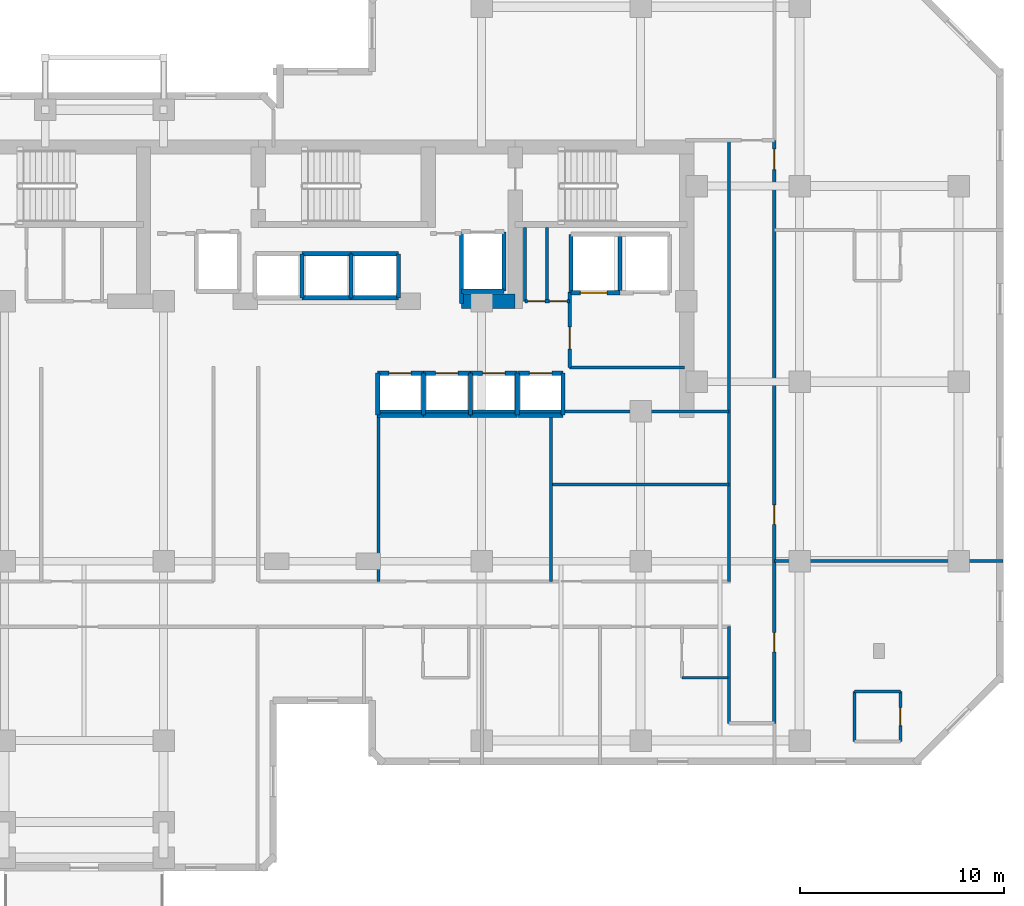
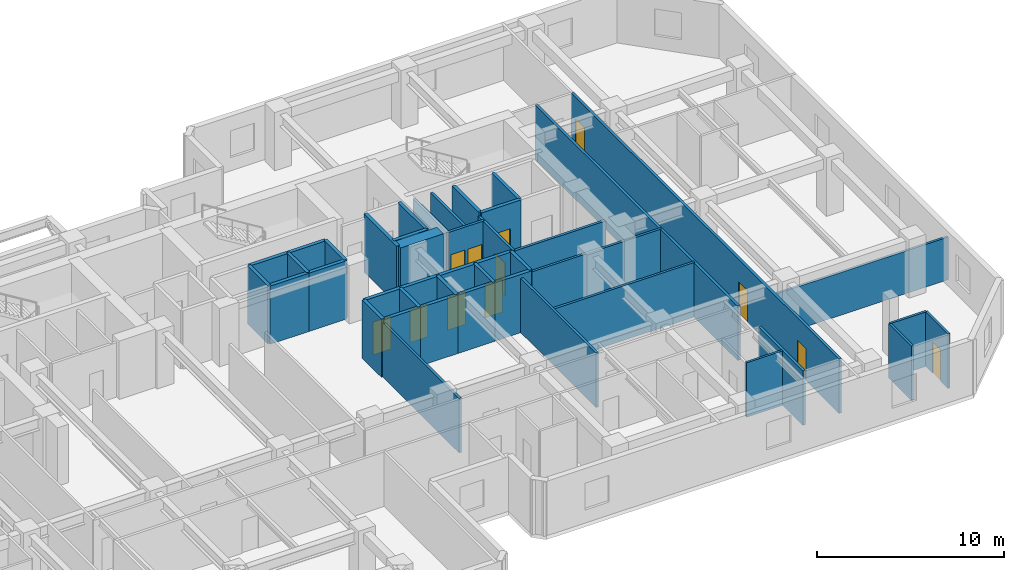
# One storey, part 6 of 10: 44 walls, 12 doors, 12 openings.
"""IFC4 building model written with IfcOpenShell, lengths in metres."""

from ifc_helpers import new_model, si_unit, direction, frame, frame_2d, origin, place, context, subcontext, project, spatial, rectangle, extrude, material, layer, layer_set, type_object, element, fill, save


model = new_model("IFC4")

# Units and contexts
model_context = context("Model", 3, precision=1e-05, world=origin(), true_north=direction((0.0, 1.0)))
body_context = subcontext(model_context, "Body", "Model", "MODEL_VIEW")
ifc_project = project(units=[si_unit("LENGTHUNIT", "METRE"), si_unit("AREAUNIT", "SQUARE_METRE"), si_unit("VOLUMEUNIT", "CUBIC_METRE"), si_unit("PLANEANGLEUNIT", "RADIAN"), si_unit("MASSUNIT", "GRAM", prefix="KILO")], contexts=[model_context])

# Site, building, storey
site_placement = place(None, origin())
site = spatial("IfcSite", under=ifc_project, at=site_placement, CompositionType="ELEMENT")
building_placement = place(site_placement, origin())
building = spatial("IfcBuilding", under=site, at=building_placement, Name="Kestravale Grand Hotel", CompositionType="ELEMENT")
storey_placement = place(building_placement, frame((0.0, 0.0, 138.39990234375)))
storey = spatial("IfcBuildingStorey", under=building, at=storey_placement, Name="L34", CompositionType="ELEMENT", Elevation=138.39990234375)

# Wall
ifc_material_1 = material(Name="Concrete f'c 60 MPa", Category="concrete")
ifc_layer_1 = layer(ifc_material_1, 0.699951171875)
ifc_layer_set_1 = layer_set([ifc_layer_1], Name="EW-CORE-700")
wall_type_1 = type_object("IfcWallType", Name="EW-CORE-700", PredefinedType="SHEAR", material=ifc_layer_set_1)
wall_1_placement = place(storey_placement, frame((45.81005859375, 32.75, 0.0), z_axis=(0.0, 0.0, 1.0), x_axis=(1.0, 0.0, 0.0)))
element("IfcWall", 1, at=wall_1_placement, inside=storey, type_object=wall_type_1, Name="L34 core shear wall S2", PredefinedType="SHEAR", context=body_context, shape_type="SweptSolid", body=[
    extrude(rectangle(XDim=2.639892578125, YDim=0.699951171875, at=frame_2d((1.31982421875, 0.0))), origin(), (0.0, 0.0, 1.0), 3.800048828125),
])

# Wall, opening, door
ifc_material_2 = material(Name="Acoustic fire-rated gypsum board partition", Category="other")
ifc_layer_2 = layer(ifc_material_2, 0.159912109375)
ifc_layer_set_2 = layer_set([ifc_layer_2], Name="IW-CORR-160")
wall_type_2 = type_object("IfcWallType", Name="IW-CORR-160", PredefinedType="PARTITIONING", material=ifc_layer_set_2)
wall_2_placement = place(storey_placement, frame((51.1201171875, 29.5, 0.0), z_axis=(0.0, 0.0, 1.0), x_axis=(0.0, 1.0, 0.0)))
wall_2 = element("IfcWall", 2, at=wall_2_placement, inside=storey, type_object=wall_type_2, Name="W-L34-SVCLOB-W", PredefinedType="PARTITIONING", context=body_context, shape_type="SweptSolid", body=[
    extrude(rectangle(XDim=3.699951171875, YDim=0.159912109375, at=frame_2d((1.85009765625, 0.0))), origin(), (0.0, 0.0, 1.0), 3.550048828125),
])
opening_1_placement = place(wall_2_placement, frame((0.89990234375, 0.0, 0.0)))
opening_1 = element("IfcOpeningElement", 3, at=opening_1_placement, cuts=wall_2, Name="Opening D-CORR-1100", PredefinedType="OPENING", context=body_context, shape_type="SweptSolid", body=[
    extrude(rectangle(XDim=1.10009765625, YDim=2.14990234375, at=frame_2d((0.550048828125, 1.074951171875))), frame((0.0, 0.08984375, 0.0), z_axis=(0.0, -1.0, 0.0), x_axis=(1.0, 0.0, 0.0)), (0.0, 0.0, 1.0), 0.179931640625),
])
ifc_material_3 = material(Name="Single-leaf service vestibule fire door", Category="steel")
door_type_1 = type_object("IfcDoorType", Name="D-CORR-1100", OperationType="NOTDEFINED", PredefinedType="DOOR", material=ifc_material_3)
door_1_placement = place(opening_1_placement, origin())
door_1 = element("IfcDoor", 4, at=door_1_placement, inside=storey, type_object=door_type_1, Name="L34 service lift lobby door", OperationType="SINGLE_SWING_LEFT", OverallHeight=2.14990234375, OverallWidth=1.10009765625, PredefinedType="DOOR", context=body_context, shape_type="SweptSolid", body=[
    extrude(rectangle(XDim=1.10009765625, YDim=2.14990234375, at=frame_2d((0.550048828125, 1.074951171875))), frame((0.0, 0.02490234375, 0.0), z_axis=(0.0, -1.0, 0.0), x_axis=(1.0, 0.0, 0.0)), (0.0, 0.0, 1.0), 0.050048828125),
])
fill(opening_1, door_1)

# Wall
wall_3_placement = place(storey_placement, frame((51.1201171875, 29.5, 0.0), z_axis=(0.0, 0.0, 1.0), x_axis=(1.0, 0.0, 0.0)))
element("IfcWall", 5, at=wall_3_placement, inside=storey, type_object=wall_type_2, Name="L34 service lift lobby wall", PredefinedType="PARTITIONING", context=body_context, shape_type="SweptSolid", body=[
    extrude(rectangle(XDim=5.6298828125, YDim=0.159912109375, at=frame_2d((2.81494140625, 0.0))), origin(), (0.0, 0.0, 1.0), 3.550048828125),
])

# Wall, openings, doors
wall_4_placement = place(storey_placement, frame((48.919921875, 32.75, 0.0), z_axis=(0.0, 0.0, 1.0), x_axis=(1.0, 0.0, 0.0)))
wall_4 = element("IfcWall", 6, at=wall_4_placement, inside=storey, type_object=wall_type_2, Name="W-L34-CES", PredefinedType="PARTITIONING", context=body_context, shape_type="SweptSolid", body=[
    extrude(rectangle(XDim=2.2001953125, YDim=0.159912109375, at=frame_2d((1.10009765625, 0.0))), origin(), (0.0, 0.0, 1.0), 3.550048828125),
])
opening_2_placement = place(wall_4_placement, frame((0.139892578125, 0.0, 0.0)))
opening_2 = element("IfcOpeningElement", 7, at=opening_2_placement, cuts=wall_4, Name="Opening D-SH-860", PredefinedType="OPENING", context=body_context, shape_type="SweptSolid", body=[
    extrude(rectangle(XDim=0.860107421875, YDim=2.050048828125, at=frame_2d((0.43017578125, 1.02490234375))), frame((0.0, 0.08984375, 0.0), z_axis=(0.0, -1.0, 0.0), x_axis=(1.0, 0.0, 0.0)), (0.0, 0.0, 1.0), 0.179931640625),
])
opening_3_placement = place(wall_4_placement, frame((1.199951171875, 0.0, 0.0)))
opening_3 = element("IfcOpeningElement", 8, at=opening_3_placement, cuts=wall_4, Name="Opening D-SH-860", PredefinedType="OPENING", context=body_context, shape_type="SweptSolid", body=[
    extrude(rectangle(XDim=0.860107421875, YDim=2.050048828125, at=frame_2d((0.43017578125, 1.02490234375))), frame((0.0, 0.08984375, 0.0), z_axis=(0.0, -1.0, 0.0), x_axis=(1.0, 0.0, 0.0)), (0.0, 0.0, 1.0), 0.179931640625),
])
ifc_material_4 = material(Name="Galvanised 90-minute riser fire door", Category="steel")
door_type_2 = type_object("IfcDoorType", Name="D-SH-860", OperationType="NOTDEFINED", PredefinedType="DOOR", material=ifc_material_4)
door_2_placement = place(opening_2_placement, origin())
door_2 = element("IfcDoor", 9, at=door_2_placement, inside=storey, type_object=door_type_2, Name="L34 CSTO1 door", OperationType="SINGLE_SWING_LEFT", OverallHeight=2.050048828125, OverallWidth=0.860107421875, PredefinedType="DOOR", context=body_context, shape_type="SweptSolid", body=[
    extrude(rectangle(XDim=0.860107421875, YDim=2.050048828125, at=frame_2d((0.43017578125, 1.02490234375))), frame((0.0, 0.02490234375, 0.0), z_axis=(0.0, -1.0, 0.0), x_axis=(1.0, 0.0, 0.0)), (0.0, 0.0, 1.0), 0.050048828125),
])
fill(opening_2, door_2)
door_3_placement = place(opening_3_placement, origin())
door_3 = element("IfcDoor", 10, at=door_3_placement, inside=storey, type_object=door_type_2, Name="L34 CSTO2 door", OperationType="SINGLE_SWING_RIGHT", OverallHeight=2.050048828125, OverallWidth=0.860107421875, PredefinedType="DOOR", context=body_context, shape_type="SweptSolid", body=[
    extrude(rectangle(XDim=0.860107421875, YDim=2.050048828125, at=frame_2d((0.43017578125, 1.02490234375))), frame((0.0, 0.02490234375, 0.0), z_axis=(0.0, -1.0, 0.0), x_axis=(1.0, 0.0, 0.0)), (0.0, 0.0, 1.0), 0.050048828125),
])
fill(opening_3, door_3)

wall_5_placement = place(storey_placement, frame((61.159912109375, 12.050048828125, 0.0), z_axis=(0.0, 0.0, 1.0), x_axis=(0.0, 1.0, 0.0)))
wall_5 = element("IfcWall", 11, at=wall_5_placement, inside=storey, type_object=wall_type_2, Name="W-L34-SE-E", PredefinedType="PARTITIONING", context=body_context, shape_type="SweptSolid", body=[
    extrude(rectangle(XDim=28.599853515625, YDim=0.159912109375, at=frame_2d((14.2998046875, 0.0))), origin(), (0.0, 0.0, 1.0), 3.550048828125),
])
opening_4_placement = place(wall_5_placement, frame((3.5, 0.0, 0.0)))
opening_4 = element("IfcOpeningElement", 12, at=opening_4_placement, cuts=wall_5, Name="Opening D-GUEST-950", PredefinedType="OPENING", context=body_context, shape_type="SweptSolid", body=[
    extrude(rectangle(XDim=0.949951171875, YDim=2.10009765625, at=frame_2d((0.47509765625, 1.050048828125))), frame((0.0, 0.08984375, 0.0), z_axis=(0.0, -1.0, 0.0), x_axis=(1.0, 0.0, 0.0)), (0.0, 0.0, 1.0), 0.179931640625),
])
opening_5_placement = place(wall_5_placement, frame((9.758056640625, 0.0, 0.0)))
opening_5 = element("IfcOpeningElement", 13, at=opening_5_placement, cuts=wall_5, Name="Opening D-GUEST-950", PredefinedType="OPENING", context=body_context, shape_type="SweptSolid", body=[
    extrude(rectangle(XDim=0.949951171875, YDim=2.10009765625, at=frame_2d((0.47509765625, 1.050048828125))), frame((0.0, 0.08984375, 0.0), z_axis=(0.0, -1.0, 0.0), x_axis=(1.0, 0.0, 0.0)), (0.0, 0.0, 1.0), 0.179931640625),
])
opening_6_placement = place(wall_5_placement, frame((27.159912109375, 0.0, 0.0)))
opening_6 = element("IfcOpeningElement", 14, at=opening_6_placement, cuts=wall_5, Name="Opening D-GUEST-1000", PredefinedType="OPENING", context=body_context, shape_type="SweptSolid", body=[
    extrude(rectangle(XDim=1.0, YDim=2.14990234375, at=frame_2d((0.5, 1.074951171875))), frame((0.0, 0.08984375, 0.0), z_axis=(0.0, -1.0, 0.0), x_axis=(1.0, 0.0, 0.0)), (0.0, 0.0, 1.0), 0.179931640625),
])
ifc_material_5 = material(Name="Accessible walnut veneer hotel entrance fire door", Category="wood")
door_type_3 = type_object("IfcDoorType", Name="D-GUEST-1000", OperationType="NOTDEFINED", PredefinedType="DOOR", material=ifc_material_5)
door_4_placement = place(opening_6_placement, origin())
door_4 = element("IfcDoor", 15, at=door_4_placement, inside=storey, type_object=door_type_3, Name="D-L34-AMEW", OperationType="SINGLE_SWING_RIGHT", OverallHeight=2.14990234375, OverallWidth=1.0, PredefinedType="DOOR", context=body_context, shape_type="SweptSolid", body=[
    extrude(rectangle(XDim=1.0, YDim=2.14990234375, at=frame_2d((0.5, 1.074951171875))), frame((0.0, 0.02490234375, 0.0), z_axis=(0.0, -1.0, 0.0), x_axis=(1.0, 0.0, 0.0)), (0.0, 0.0, 1.0), 0.050048828125),
])
fill(opening_6, door_4)
ifc_material_6 = material(Name="Walnut veneer hotel guestroom entrance fire door", Category="wood")
door_type_4 = type_object("IfcDoorType", Name="D-GUEST-950", OperationType="NOTDEFINED", PredefinedType="DOOR", material=ifc_material_6)
door_5_placement = place(opening_4_placement, origin())
door_5 = element("IfcDoor", 16, at=door_5_placement, inside=storey, type_object=door_type_4, Name="D-L34-U07-ENT", OperationType="SINGLE_SWING_LEFT", OverallHeight=2.10009765625, OverallWidth=0.949951171875, PredefinedType="DOOR", context=body_context, shape_type="SweptSolid", body=[
    extrude(rectangle(XDim=0.949951171875, YDim=2.10009765625, at=frame_2d((0.47509765625, 1.050048828125))), frame((0.0, 0.02490234375, 0.0), z_axis=(0.0, -1.0, 0.0), x_axis=(1.0, 0.0, 0.0)), (0.0, 0.0, 1.0), 0.050048828125),
])
fill(opening_4, door_5)
door_6_placement = place(opening_5_placement, origin())
door_6 = element("IfcDoor", 17, at=door_6_placement, inside=storey, type_object=door_type_4, Name="D-L34-U08-ENT", OperationType="SINGLE_SWING_LEFT", OverallHeight=2.10009765625, OverallWidth=0.949951171875, PredefinedType="DOOR", context=body_context, shape_type="SweptSolid", body=[
    extrude(rectangle(XDim=0.949951171875, YDim=2.10009765625, at=frame_2d((0.47509765625, 1.050048828125))), frame((0.0, 0.02490234375, 0.0), z_axis=(0.0, -1.0, 0.0), x_axis=(1.0, 0.0, 0.0)), (0.0, 0.0, 1.0), 0.050048828125),
])
fill(opening_5, door_6)

# Walls
wall_6_placement = place(storey_placement, frame((58.93994140625, 19.010009765625, 0.0), z_axis=(0.0, 0.0, 1.0), x_axis=(0.0, 1.0, 0.0)))
element("IfcWall", 18, at=wall_6_placement, inside=storey, type_object=wall_type_2, Name="W-L34-SE-WU", PredefinedType="PARTITIONING", context=body_context, shape_type="SweptSolid", body=[
    extrude(rectangle(XDim=21.639892578125, YDim=0.159912109375, at=frame_2d((10.81982421875, 0.0))), origin(), (0.0, 0.0, 1.0), 3.550048828125),
])
wall_7_placement = place(storey_placement, frame((58.93994140625, 12.050048828125, 0.0), z_axis=(0.0, 0.0, 1.0), x_axis=(0.0, 1.0, 0.0)))
element("IfcWall", 19, at=wall_7_placement, inside=storey, type_object=wall_type_2, Name="W-L34-SE-W", PredefinedType="PARTITIONING", context=body_context, shape_type="SweptSolid", body=[
    extrude(rectangle(XDim=4.739990234375, YDim=0.159912109375, at=frame_2d((2.3701171875, 0.0))), origin(), (0.0, 0.0, 1.0), 3.550048828125),
])
ifc_material_7 = material(Name="Moisture-resistant tile-backer plumbing chase wall", Category="other")
ifc_layer_3 = layer(ifc_material_7, 0.139892578125)
ifc_layer_set_3 = layer_set([ifc_layer_3], Name="IW-PLB-140")
wall_type_3 = type_object("IfcWallType", Name="IW-PLB-140", PredefinedType="PLUMBINGWALL", material=ifc_layer_set_3)
wall_8_placement = place(storey_placement, frame((56.6298828125, 14.280029296875, 0.0), z_axis=(0.0, 0.0, 1.0), x_axis=(1.0, 0.0, 0.0)))
element("IfcWall", 20, at=wall_8_placement, inside=storey, type_object=wall_type_3, Name="W-L34-U02-BS", PredefinedType="PLUMBINGWALL", context=body_context, shape_type="SweptSolid", body=[
    extrude(rectangle(XDim=2.25, YDim=0.139892578125, at=frame_2d((1.125, 0.0))), origin(), (0.0, 0.0, 1.0), 3.550048828125),
])
wall_9_placement = place(storey_placement, frame((65.10009765625, 11.14990234375, 0.0), z_axis=(0.0, 0.0, 1.0), x_axis=(0.0, 1.0, 0.0)))
element("IfcWall", 21, at=wall_9_placement, inside=storey, type_object=wall_type_3, Name="W-L34-U07-BW", PredefinedType="PLUMBINGWALL", context=body_context, shape_type="SweptSolid", body=[
    extrude(rectangle(XDim=2.4501953125, YDim=0.139892578125, at=frame_2d((1.22509765625, 0.0))), origin(), (0.0, 0.0, 1.0), 3.550048828125),
])

# Wall, opening, door
wall_10_placement = place(storey_placement, frame((67.35009765625, 11.14990234375, 0.0), z_axis=(0.0, 0.0, 1.0), x_axis=(0.0, 1.0, 0.0)))
wall_10 = element("IfcWall", 22, at=wall_10_placement, inside=storey, type_object=wall_type_3, Name="W-L34-U07-BE", PredefinedType="PLUMBINGWALL", context=body_context, shape_type="SweptSolid", body=[
    extrude(rectangle(XDim=2.4501953125, YDim=0.139892578125, at=frame_2d((1.22509765625, 0.0))), origin(), (0.0, 0.0, 1.0), 3.550048828125),
])
opening_7_placement = place(wall_10_placement, frame((0.784912109375, 0.0, 0.0)))
opening_7 = element("IfcOpeningElement", 23, at=opening_7_placement, cuts=wall_10, Name="Opening D-BATH-880", PredefinedType="OPENING", context=body_context, shape_type="SweptSolid", body=[
    extrude(rectangle(XDim=0.8798828125, YDim=2.050048828125, at=frame_2d((0.43994140625, 1.02490234375))), frame((0.0, 0.079833984375, 0.0), z_axis=(0.0, -1.0, 0.0), x_axis=(1.0, 0.0, 0.0)), (0.0, 0.0, 1.0), 0.159912109375),
])
ifc_material_8 = material(Name="Moisture-sealed walnut en-suite bathroom door", Category="wood")
door_type_5 = type_object("IfcDoorType", Name="D-BATH-880", OperationType="NOTDEFINED", PredefinedType="DOOR", material=ifc_material_8)
door_7_placement = place(opening_7_placement, origin())
door_7 = element("IfcDoor", 24, at=door_7_placement, inside=storey, type_object=door_type_5, Name="D-L34-U07-BATH", OperationType="SINGLE_SWING_RIGHT", OverallHeight=2.050048828125, OverallWidth=0.8798828125, PredefinedType="DOOR", context=body_context, shape_type="SweptSolid", body=[
    extrude(rectangle(XDim=0.8798828125, YDim=2.050048828125, at=frame_2d((0.43994140625, 1.02490234375))), frame((0.0, 0.02490234375, 0.0), z_axis=(0.0, -1.0, 0.0), x_axis=(1.0, 0.0, 0.0)), (0.0, 0.0, 1.0), 0.050048828125),
])
fill(opening_7, door_7)

# Walls
wall_11_placement = place(storey_placement, frame((65.10009765625, 13.60009765625, 0.0), z_axis=(0.0, 0.0, 1.0), x_axis=(1.0, 0.0, 0.0)))
element("IfcWall", 25, at=wall_11_placement, inside=storey, type_object=wall_type_3, Name="W-L34-U07-BN", PredefinedType="PLUMBINGWALL", context=body_context, shape_type="SweptSolid", body=[
    extrude(rectangle(XDim=2.25, YDim=0.139892578125, at=frame_2d((1.125, 0.0))), origin(), (0.0, 0.0, 1.0), 3.550048828125),
])
ifc_material_9 = material(Name="Concrete f'c 45 MPa", Category="concrete")
ifc_layer_4 = layer(ifc_material_9, 0.199951171875)
ifc_layer_set_4 = layer_set([ifc_layer_4], Name="IW-SHAFT-200")
wall_type_4 = type_object("IfcWallType", Name="IW-SHAFT-200", PredefinedType="SHEAR", material=ifc_layer_set_4)
for number, where, z_axis, x_axis, name in (
    (26, (41.705078125, 27.169921875, 0.0), (0.0, 0.0, 1.0), (0.0, 1.0, 0.0), "L34 PL-M1 west shaft wall"),
    (27, (43.949951171875, 27.169921875, 0.0), (0.0, 0.0, 1.0), (0.0, 1.0, 0.0), "L34 PL-M2 west shaft wall"),
    (28, (46.25, 27.169921875, 0.0), (0.0, 0.0, 1.0), (0.0, 1.0, 0.0), "L34 PL-M3 west shaft wall"),
    (29, (48.550048828125, 27.169921875, 0.0), (0.0, 0.0, 1.0), (0.0, 1.0, 0.0), "L34 PL-M4 west shaft wall"),
    (30, (50.794921875, 27.169921875, 0.0), (0.0, 0.0, 1.0), (0.0, 1.0, 0.0), "L34 PL-M4 east shaft wall"),
):
    element("IfcWall", number, at=place(storey_placement, frame(where, z_axis=z_axis, x_axis=x_axis)), inside=storey, type_object=wall_type_4, Name=name, PredefinedType="SHEAR", context=body_context, shape_type="SweptSolid", body=[
        extrude(rectangle(XDim=2.06005859375, YDim=0.199951171875, at=frame_2d((1.030029296875, 0.0))), origin(), (0.0, 0.0, 1.0), 3.800048828125),
    ])
for number, where, z_axis, x_axis, name in (
    (31, (38.0, 32.919921875, 0.0), (0.0, 0.0, 1.0), (0.0, 1.0, 0.0), "L34 PL-X2 west shaft wall"),
    (32, (40.39990234375, 32.919921875, 0.0), (0.0, 0.0, 1.0), (0.0, 1.0, 0.0), "L34 PL-X3 west shaft wall"),
    (33, (42.719970703125, 32.919921875, 0.0), (0.0, 0.0, 1.0), (0.0, 1.0, 0.0), "L34 PL-X3 east shaft wall"),
):
    element("IfcWall", number, at=place(storey_placement, frame(where, z_axis=z_axis, x_axis=x_axis)), inside=storey, type_object=wall_type_4, Name=name, PredefinedType="SHEAR", context=body_context, shape_type="SweptSolid", body=[
        extrude(rectangle(XDim=2.16015625, YDim=0.199951171875, at=frame_2d((1.080078125, 0.0))), origin(), (0.0, 0.0, 1.0), 3.800048828125),
    ])
for number, where, z_axis, x_axis, name in (
    (34, (51.179931640625, 33.169921875, 0.0), (0.0, 0.0, 1.0), (0.0, 1.0, 0.0), "L34 SL-1 west shaft wall"),
    (35, (53.60009765625, 33.169921875, 0.0), (0.0, 0.0, 1.0), (0.0, 1.0, 0.0), "L34 SL-2 west shaft wall"),
):
    element("IfcWall", number, at=place(storey_placement, frame(where, z_axis=z_axis, x_axis=x_axis)), inside=storey, type_object=wall_type_4, Name=name, PredefinedType="SHEAR", context=body_context, shape_type="SweptSolid", body=[
        extrude(rectangle(XDim=2.860107421875, YDim=0.199951171875, at=frame_2d((1.43017578125, 0.0))), origin(), (0.0, 0.0, 1.0), 3.800048828125),
    ])
wall_12_placement = place(storey_placement, frame((45.804931640625, 32.64990234375, 0.0), z_axis=(0.0, 0.0, 1.0), x_axis=(0.0, 1.0, 0.0)))
element("IfcWall", 36, at=wall_12_placement, inside=storey, type_object=wall_type_4, Name="L34 FL-2 west shaft wall", PredefinedType="SHEAR", context=body_context, shape_type="SweptSolid", body=[
    extrude(rectangle(XDim=3.505126953125, YDim=0.199951171875, at=frame_2d((1.75244140625, 0.0))), origin(), (0.0, 0.0, 1.0), 3.800048828125),
])
wall_13_placement = place(storey_placement, frame((47.89501953125, 33.2451171875, 0.0), z_axis=(0.0, 0.0, 1.0), x_axis=(0.0, 1.0, 0.0)))
element("IfcWall", 37, at=wall_13_placement, inside=storey, type_object=wall_type_4, Name="L34 FL-2 east shaft wall", PredefinedType="SHEAR", context=body_context, shape_type="SweptSolid", body=[
    extrude(rectangle(XDim=2.909912109375, YDim=0.199951171875, at=frame_2d((1.455078125, 0.0))), origin(), (0.0, 0.0, 1.0), 3.800048828125),
])

# Wall, opening, door
ifc_material_10 = material(Name="Concrete f'c 45 MPa", Category="concrete")
ifc_layer_5 = layer(ifc_material_10, 0.219970703125)
ifc_layer_set_5 = layer_set([ifc_layer_5], Name="IW-SHAFT-220")
wall_type_5 = type_object("IfcWallType", Name="IW-SHAFT-220", PredefinedType="SHEAR", material=ifc_layer_set_5)
wall_14_placement = place(storey_placement, frame((41.705078125, 29.22998046875, 0.0), z_axis=(0.0, 0.0, 1.0), x_axis=(1.0, 0.0, 0.0)))
wall_14 = element("IfcWall", 38, at=wall_14_placement, inside=storey, type_object=wall_type_5, Name="L34 PL-M1 north shaft wall", PredefinedType="SHEAR", context=body_context, shape_type="SweptSolid", body=[
    extrude(rectangle(XDim=2.244873046875, YDim=0.219970703125, at=frame_2d((1.12255859375, 0.0))), origin(), (0.0, 0.0, 1.0), 3.800048828125),
])
opening_8_placement = place(wall_14_placement, frame((0.544921875, 0.0, 0.0)))
opening_8 = element("IfcOpeningElement", 39, at=opening_8_placement, cuts=wall_14, Name="Opening LD-PAX-1100", PredefinedType="OPENING", context=body_context, shape_type="SweptSolid", body=[
    extrude(rectangle(XDim=1.10009765625, YDim=2.14990234375, at=frame_2d((0.550048828125, 1.074951171875))), frame((0.0, 0.119873046875, 0.0), z_axis=(0.0, -1.0, 0.0), x_axis=(1.0, 0.0, 0.0)), (0.0, 0.0, 1.0), 0.239990234375),
])
ifc_material_11 = material(Name="Champagne-bronze center-opening sliding elevator landing door", Category="steel")
door_type_6 = type_object("IfcDoorType", Name="LD-PAX-1100", OperationType="NOTDEFINED", PredefinedType="DOOR", material=ifc_material_11)
door_8_placement = place(opening_8_placement, origin())
door_8 = element("IfcDoor", 40, at=door_8_placement, inside=storey, type_object=door_type_6, Name="L34 PL-M1 elevator landing sliding door", OperationType="DOUBLE_DOOR_SLIDING", OverallHeight=2.14990234375, OverallWidth=1.10009765625, PredefinedType="DOOR", context=body_context, shape_type="SweptSolid", body=[
    extrude(rectangle(XDim=1.10009765625, YDim=2.14990234375, at=frame_2d((0.550048828125, 1.074951171875))), frame((0.0, 0.02490234375, 0.0), z_axis=(0.0, -1.0, 0.0), x_axis=(1.0, 0.0, 0.0)), (0.0, 0.0, 1.0), 0.050048828125),
])
fill(opening_8, door_8)

# Wall
wall_15_placement = place(storey_placement, frame((41.705078125, 27.169921875, 0.0), z_axis=(0.0, 0.0, 1.0), x_axis=(1.0, 0.0, 0.0)))
element("IfcWall", 41, at=wall_15_placement, inside=storey, type_object=wall_type_5, Name="L34 PL-M1 south shaft wall", PredefinedType="SHEAR", context=body_context, shape_type="SweptSolid", body=[
    extrude(rectangle(XDim=2.244873046875, YDim=0.219970703125, at=frame_2d((1.12255859375, 0.0))), origin(), (0.0, 0.0, 1.0), 3.800048828125),
])

# Wall, opening, door
wall_16_placement = place(storey_placement, frame((43.949951171875, 29.22998046875, 0.0), z_axis=(0.0, 0.0, 1.0), x_axis=(1.0, 0.0, 0.0)))
wall_16 = element("IfcWall", 42, at=wall_16_placement, inside=storey, type_object=wall_type_5, Name="L34 PL-M2 north shaft wall", PredefinedType="SHEAR", context=body_context, shape_type="SweptSolid", body=[
    extrude(rectangle(XDim=2.300048828125, YDim=0.219970703125, at=frame_2d((1.14990234375, 0.0))), origin(), (0.0, 0.0, 1.0), 3.800048828125),
])
opening_9_placement = place(wall_16_placement, frame((0.60009765625, 0.0, 0.0)))
opening_9 = element("IfcOpeningElement", 43, at=opening_9_placement, cuts=wall_16, Name="Opening LD-PAX-1100", PredefinedType="OPENING", context=body_context, shape_type="SweptSolid", body=[
    extrude(rectangle(XDim=1.10009765625, YDim=2.14990234375, at=frame_2d((0.550048828125, 1.074951171875))), frame((0.0, 0.119873046875, 0.0), z_axis=(0.0, -1.0, 0.0), x_axis=(1.0, 0.0, 0.0)), (0.0, 0.0, 1.0), 0.239990234375),
])
door_9_placement = place(opening_9_placement, origin())
door_9 = element("IfcDoor", 44, at=door_9_placement, inside=storey, type_object=door_type_6, Name="L34 PL-M2 elevator landing sliding door", OperationType="DOUBLE_DOOR_SLIDING", OverallHeight=2.14990234375, OverallWidth=1.10009765625, PredefinedType="DOOR", context=body_context, shape_type="SweptSolid", body=[
    extrude(rectangle(XDim=1.10009765625, YDim=2.14990234375, at=frame_2d((0.550048828125, 1.074951171875))), frame((0.0, 0.02490234375, 0.0), z_axis=(0.0, -1.0, 0.0), x_axis=(1.0, 0.0, 0.0)), (0.0, 0.0, 1.0), 0.050048828125),
])
fill(opening_9, door_9)

# Wall
wall_17_placement = place(storey_placement, frame((43.949951171875, 27.169921875, 0.0), z_axis=(0.0, 0.0, 1.0), x_axis=(1.0, 0.0, 0.0)))
element("IfcWall", 45, at=wall_17_placement, inside=storey, type_object=wall_type_5, Name="L34 PL-M2 south shaft wall", PredefinedType="SHEAR", context=body_context, shape_type="SweptSolid", body=[
    extrude(rectangle(XDim=2.300048828125, YDim=0.219970703125, at=frame_2d((1.14990234375, 0.0))), origin(), (0.0, 0.0, 1.0), 3.800048828125),
])

# Wall, opening, door
wall_18_placement = place(storey_placement, frame((46.25, 29.22998046875, 0.0), z_axis=(0.0, 0.0, 1.0), x_axis=(1.0, 0.0, 0.0)))
wall_18 = element("IfcWall", 46, at=wall_18_placement, inside=storey, type_object=wall_type_5, Name="L34 PL-M3 north shaft wall", PredefinedType="SHEAR", context=body_context, shape_type="SweptSolid", body=[
    extrude(rectangle(XDim=2.300048828125, YDim=0.219970703125, at=frame_2d((1.14990234375, 0.0))), origin(), (0.0, 0.0, 1.0), 3.800048828125),
])
opening_10_placement = place(wall_18_placement, frame((0.60009765625, 0.0, 0.0)))
opening_10 = element("IfcOpeningElement", 47, at=opening_10_placement, cuts=wall_18, Name="Opening LD-PAX-1100", PredefinedType="OPENING", context=body_context, shape_type="SweptSolid", body=[
    extrude(rectangle(XDim=1.10009765625, YDim=2.14990234375, at=frame_2d((0.550048828125, 1.074951171875))), frame((0.0, 0.119873046875, 0.0), z_axis=(0.0, -1.0, 0.0), x_axis=(1.0, 0.0, 0.0)), (0.0, 0.0, 1.0), 0.239990234375),
])
door_10_placement = place(opening_10_placement, origin())
door_10 = element("IfcDoor", 48, at=door_10_placement, inside=storey, type_object=door_type_6, Name="L34 PL-M3 elevator landing sliding door", OperationType="DOUBLE_DOOR_SLIDING", OverallHeight=2.14990234375, OverallWidth=1.10009765625, PredefinedType="DOOR", context=body_context, shape_type="SweptSolid", body=[
    extrude(rectangle(XDim=1.10009765625, YDim=2.14990234375, at=frame_2d((0.550048828125, 1.074951171875))), frame((0.0, 0.02490234375, 0.0), z_axis=(0.0, -1.0, 0.0), x_axis=(1.0, 0.0, 0.0)), (0.0, 0.0, 1.0), 0.050048828125),
])
fill(opening_10, door_10)

# Wall
wall_19_placement = place(storey_placement, frame((46.25, 27.169921875, 0.0), z_axis=(0.0, 0.0, 1.0), x_axis=(1.0, 0.0, 0.0)))
element("IfcWall", 49, at=wall_19_placement, inside=storey, type_object=wall_type_5, Name="L34 PL-M3 south shaft wall", PredefinedType="SHEAR", context=body_context, shape_type="SweptSolid", body=[
    extrude(rectangle(XDim=2.300048828125, YDim=0.219970703125, at=frame_2d((1.14990234375, 0.0))), origin(), (0.0, 0.0, 1.0), 3.800048828125),
])

# Wall, opening, door
wall_20_placement = place(storey_placement, frame((48.550048828125, 29.22998046875, 0.0), z_axis=(0.0, 0.0, 1.0), x_axis=(1.0, 0.0, 0.0)))
wall_20 = element("IfcWall", 50, at=wall_20_placement, inside=storey, type_object=wall_type_5, Name="L34 PL-M4 north shaft wall", PredefinedType="SHEAR", context=body_context, shape_type="SweptSolid", body=[
    extrude(rectangle(XDim=2.244873046875, YDim=0.219970703125, at=frame_2d((1.12255859375, 0.0))), origin(), (0.0, 0.0, 1.0), 3.800048828125),
])
opening_11_placement = place(wall_20_placement, frame((0.60009765625, 0.0, 0.0)))
opening_11 = element("IfcOpeningElement", 51, at=opening_11_placement, cuts=wall_20, Name="Opening LD-PAX-1100", PredefinedType="OPENING", context=body_context, shape_type="SweptSolid", body=[
    extrude(rectangle(XDim=1.10009765625, YDim=2.14990234375, at=frame_2d((0.550048828125, 1.074951171875))), frame((0.0, 0.119873046875, 0.0), z_axis=(0.0, -1.0, 0.0), x_axis=(1.0, 0.0, 0.0)), (0.0, 0.0, 1.0), 0.239990234375),
])
door_11_placement = place(opening_11_placement, origin())
door_11 = element("IfcDoor", 52, at=door_11_placement, inside=storey, type_object=door_type_6, Name="L34 PL-M4 elevator landing sliding door", OperationType="DOUBLE_DOOR_SLIDING", OverallHeight=2.14990234375, OverallWidth=1.10009765625, PredefinedType="DOOR", context=body_context, shape_type="SweptSolid", body=[
    extrude(rectangle(XDim=1.10009765625, YDim=2.14990234375, at=frame_2d((0.550048828125, 1.074951171875))), frame((0.0, 0.02490234375, 0.0), z_axis=(0.0, -1.0, 0.0), x_axis=(1.0, 0.0, 0.0)), (0.0, 0.0, 1.0), 0.050048828125),
])
fill(opening_11, door_11)

# Walls
wall_21_placement = place(storey_placement, frame((48.550048828125, 27.169921875, 0.0), z_axis=(0.0, 0.0, 1.0), x_axis=(1.0, 0.0, 0.0)))
element("IfcWall", 53, at=wall_21_placement, inside=storey, type_object=wall_type_5, Name="L34 PL-M4 south shaft wall", PredefinedType="SHEAR", context=body_context, shape_type="SweptSolid", body=[
    extrude(rectangle(XDim=2.244873046875, YDim=0.219970703125, at=frame_2d((1.12255859375, 0.0))), origin(), (0.0, 0.0, 1.0), 3.800048828125),
])
for number, where, z_axis, x_axis, name in (
    (54, (38.0, 35.080078125, 0.0), (0.0, 0.0, 1.0), (1.0, 0.0, 0.0), "L34 PL-X2 north shaft wall"),
    (55, (38.0, 32.919921875, 0.0), (0.0, 0.0, 1.0), (1.0, 0.0, 0.0), "L34 PL-X2 south shaft wall"),
):
    element("IfcWall", number, at=place(storey_placement, frame(where, z_axis=z_axis, x_axis=x_axis)), inside=storey, type_object=wall_type_5, Name=name, PredefinedType="SHEAR", context=body_context, shape_type="SweptSolid", body=[
        extrude(rectangle(XDim=2.39990234375, YDim=0.219970703125, at=frame_2d((1.199951171875, 0.0))), origin(), (0.0, 0.0, 1.0), 3.800048828125),
    ])
for number, where, z_axis, x_axis, name in (
    (56, (40.39990234375, 35.080078125, 0.0), (0.0, 0.0, 1.0), (1.0, 0.0, 0.0), "L34 PL-X3 north shaft wall"),
    (57, (40.39990234375, 32.919921875, 0.0), (0.0, 0.0, 1.0), (1.0, 0.0, 0.0), "L34 PL-X3 south shaft wall"),
):
    element("IfcWall", number, at=place(storey_placement, frame(where, z_axis=z_axis, x_axis=x_axis)), inside=storey, type_object=wall_type_5, Name=name, PredefinedType="SHEAR", context=body_context, shape_type="SweptSolid", body=[
        extrude(rectangle(XDim=2.320068359375, YDim=0.219970703125, at=frame_2d((1.16015625, 0.0))), origin(), (0.0, 0.0, 1.0), 3.800048828125),
    ])

# Wall, opening, door
wall_22_placement = place(storey_placement, frame((51.179931640625, 33.169921875, 0.0), z_axis=(0.0, 0.0, 1.0), x_axis=(1.0, 0.0, 0.0)))
wall_22 = element("IfcWall", 58, at=wall_22_placement, inside=storey, type_object=wall_type_5, Name="L34 SL-1 south shaft wall", PredefinedType="SHEAR", context=body_context, shape_type="SweptSolid", body=[
    extrude(rectangle(XDim=2.420166015625, YDim=0.219970703125, at=frame_2d((1.2099609375, 0.0))), origin(), (0.0, 0.0, 1.0), 3.800048828125),
])
opening_12_placement = place(wall_22_placement, frame((0.469970703125, 0.0, 0.0)))
opening_12 = element("IfcOpeningElement", 59, at=opening_12_placement, cuts=wall_22, Name="Opening LD-SVC-1300", PredefinedType="OPENING", context=body_context, shape_type="SweptSolid", body=[
    extrude(rectangle(XDim=1.300048828125, YDim=2.14990234375, at=frame_2d((0.64990234375, 1.074951171875))), frame((0.0, 0.119873046875, 0.0), z_axis=(0.0, -1.0, 0.0), x_axis=(1.0, 0.0, 0.0)), (0.0, 0.0, 1.0), 0.239990234375),
])
ifc_material_12 = material(Name="Heavy-duty service sliding elevator landing door", Category="steel")
door_type_7 = type_object("IfcDoorType", Name="LD-SVC-1300", OperationType="NOTDEFINED", PredefinedType="DOOR", material=ifc_material_12)
door_12_placement = place(opening_12_placement, origin())
door_12 = element("IfcDoor", 60, at=door_12_placement, inside=storey, type_object=door_type_7, Name="L34 SL-1 elevator landing sliding door", OperationType="DOUBLE_DOOR_SLIDING", OverallHeight=2.14990234375, OverallWidth=1.300048828125, PredefinedType="DOOR", context=body_context, shape_type="SweptSolid", body=[
    extrude(rectangle(XDim=1.300048828125, YDim=2.14990234375, at=frame_2d((0.64990234375, 1.074951171875))), frame((0.0, 0.02490234375, 0.0), z_axis=(0.0, -1.0, 0.0), x_axis=(1.0, 0.0, 0.0)), (0.0, 0.0, 1.0), 0.050048828125),
])
fill(opening_12, door_12)

# Walls
wall_23_placement = place(storey_placement, frame((45.804931640625, 33.2451171875, 0.0), z_axis=(0.0, 0.0, 1.0), x_axis=(1.0, 0.0, 0.0)))
element("IfcWall", 61, at=wall_23_placement, inside=storey, type_object=wall_type_5, Name="L34 FL-2 south shaft wall", PredefinedType="SHEAR", context=body_context, shape_type="SweptSolid", body=[
    extrude(rectangle(XDim=2.090087890625, YDim=0.219970703125, at=frame_2d((1.044921875, 0.0))), origin(), (0.0, 0.0, 1.0), 3.800048828125),
])
ifc_material_13 = material(Name="Double-stud STC 52 acoustic demising partition", Category="other")
ifc_layer_6 = layer(ifc_material_13, 0.14990234375)
ifc_layer_set_6 = layer_set([ifc_layer_6], Name="IW-UNIT-150")
wall_type_6 = type_object("IfcWallType", Name="IW-UNIT-150", PredefinedType="PARTITIONING", material=ifc_layer_set_6)
for number, where, z_axis, x_axis, name in (
    (62, (48.919921875, 32.75, 0.0), (0.0, 0.0, 1.0), (0.0, 1.0, 0.0), "W-L34-CEW"),
    (63, (50.010009765625, 32.75, 0.0), (0.0, 0.0, 1.0), (0.0, 1.0, 0.0), "W-L34-CC1-EM"),
):
    element("IfcWall", number, at=place(storey_placement, frame(where, z_axis=z_axis, x_axis=x_axis)), inside=storey, type_object=wall_type_6, Name=name, PredefinedType="PARTITIONING", context=body_context, shape_type="SweptSolid", body=[
        extrude(rectangle(XDim=3.6201171875, YDim=0.14990234375, at=frame_2d((1.81005859375, 0.0))), origin(), (0.0, 0.0, 1.0), 3.550048828125),
    ])
wall_24_placement = place(storey_placement, frame((41.75, 19.010009765625, 0.0), z_axis=(0.0, 0.0, 1.0), x_axis=(0.0, 1.0, 0.0)))
element("IfcWall", 64, at=wall_24_placement, inside=storey, type_object=wall_type_6, Name="W-L34-RCLE-W", PredefinedType="PARTITIONING", context=body_context, shape_type="SweptSolid", body=[
    extrude(rectangle(XDim=8.159912109375, YDim=0.14990234375, at=frame_2d((4.080078125, 0.0))), origin(), (0.0, 0.0, 1.0), 3.550048828125),
])
wall_25_placement = place(storey_placement, frame((50.199951171875, 19.010009765625, 0.0), z_axis=(0.0, 0.0, 1.0), x_axis=(0.0, 1.0, 0.0)))
element("IfcWall", 65, at=wall_25_placement, inside=storey, type_object=wall_type_6, Name="W-L34-RCLE-M", PredefinedType="PARTITIONING", context=body_context, shape_type="SweptSolid", body=[
    extrude(rectangle(XDim=8.139892578125, YDim=0.14990234375, at=frame_2d((4.06982421875, 0.0))), origin(), (0.0, 0.0, 1.0), 3.550048828125),
])
wall_26_placement = place(storey_placement, frame((41.75, 27.35009765625, 0.0), z_axis=(0.0, 0.0, 1.0), x_axis=(1.0, 0.0, 0.0)))
element("IfcWall", 66, at=wall_26_placement, inside=storey, type_object=wall_type_6, Name="W-L34-RCLE-N", PredefinedType="PARTITIONING", context=body_context, shape_type="SweptSolid", body=[
    extrude(rectangle(XDim=17.18994140625, YDim=0.14990234375, at=frame_2d((8.594970703125, 0.0))), origin(), (0.0, 0.0, 1.0), 3.550048828125),
])
wall_27_placement = place(storey_placement, frame((50.199951171875, 23.77001953125, 0.0), z_axis=(0.0, 0.0, 1.0), x_axis=(1.0, 0.0, 0.0)))
element("IfcWall", 67, at=wall_27_placement, inside=storey, type_object=wall_type_6, Name="W-L34-RCLE-H", PredefinedType="PARTITIONING", context=body_context, shape_type="SweptSolid", body=[
    extrude(rectangle(XDim=8.739990234375, YDim=0.14990234375, at=frame_2d((4.3701171875, 0.0))), origin(), (0.0, 0.0, 1.0), 3.550048828125),
])
wall_28_placement = place(storey_placement, frame((61.159912109375, 20.0, 0.0), z_axis=(0.0, 0.0, 1.0), x_axis=(1.0, 0.0, 0.0)))
element("IfcWall", 68, at=wall_28_placement, inside=storey, type_object=wall_type_6, Name="W-L34-EW-1", PredefinedType="PARTITIONING", context=body_context, shape_type="SweptSolid", body=[
    extrude(rectangle(XDim=11.219970703125, YDim=0.14990234375, at=frame_2d((5.60986328125, 0.0))), origin(), (0.0, 0.0, 1.0), 2.778076171875),
])

save(model, "model.ifc")
